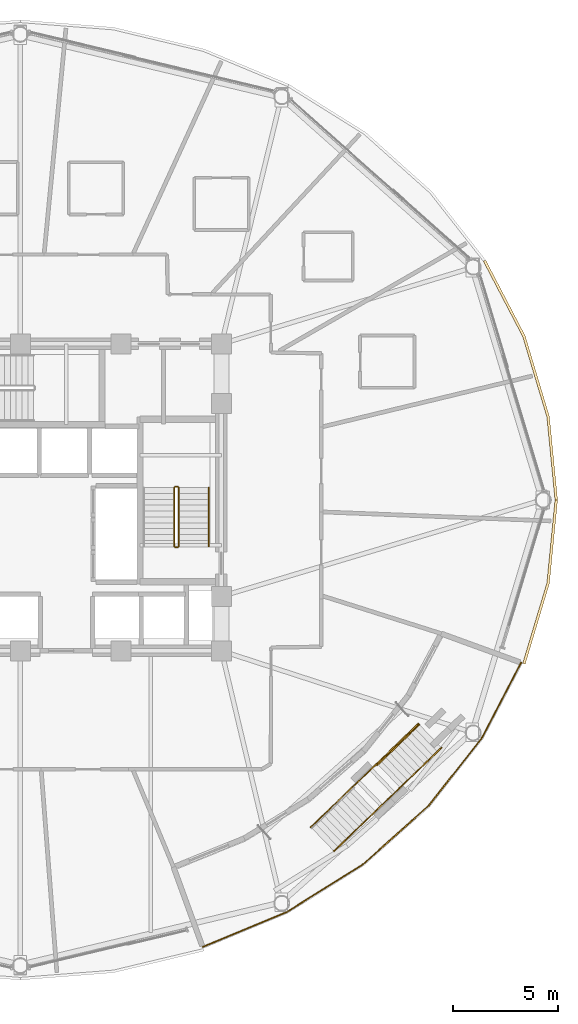
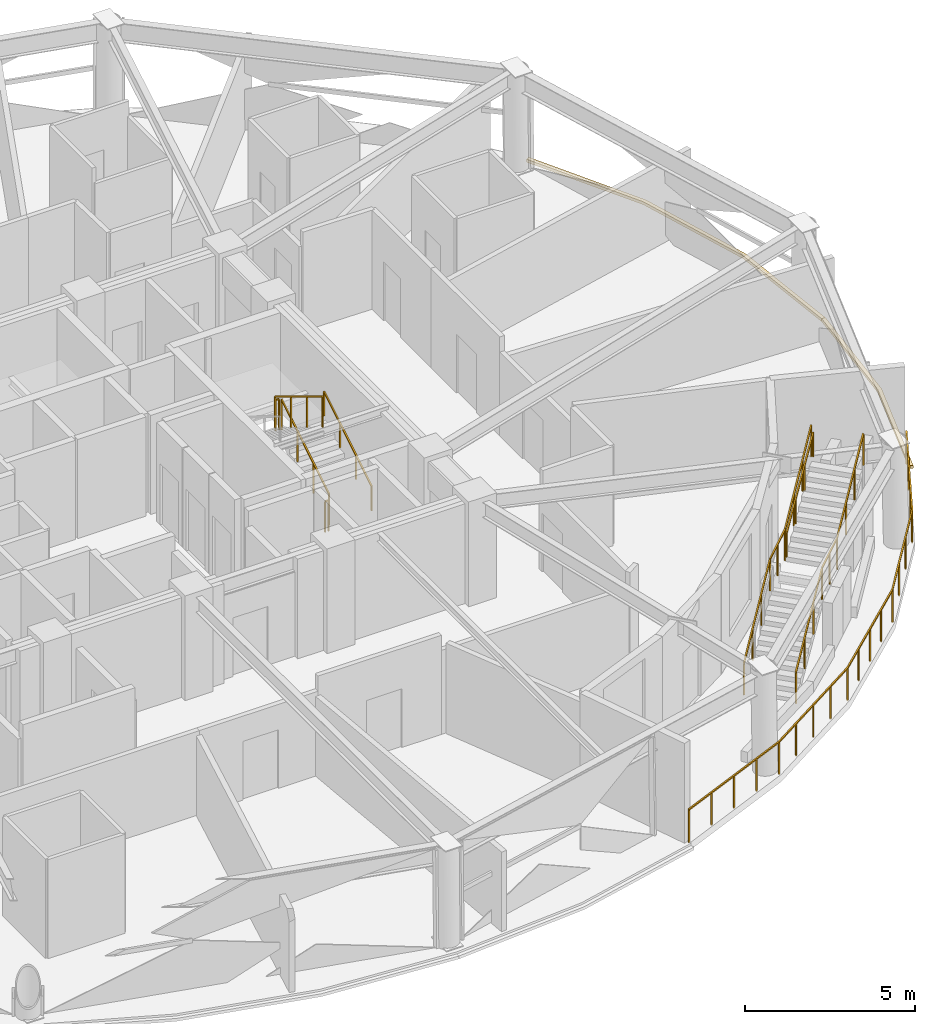
# One storey, part 17 of 18: 9 railings, 2 coverings.
"""IFC4 building model written with IfcOpenShell, lengths in metres."""

import ifcopenshell
import ifcopenshell.guid

model = None  # the IFC model being written
_history = None  # IfcOwnerHistory: only IFC2X3 demands one
_inside = {}  # id of a spatial element -> (the spatial element, [elements in it])
_under = {}  # id of a project, library or spatial element -> (it, [spatial elements below it])
_declared = {}  # id of a project -> (the project, [libraries it declares])
_typed = {}  # id of a type object -> (the type object, [elements of that type])
_made_of = {}  # id of a material, layer set ... -> (it, [elements and type objects made of it])


def new_model(schema):
    """Start an empty IFC model of exactly this schema.

    Asked for "IFC4X3", IfcOpenShell would pick the latest addendum, in which some entities
    have other attributes; the version numbers below select the first issue.
    IFC2X3 requires an IfcOwnerHistory on every rooted entity: one is made here for all.
    """
    global model, _history
    if schema == "IFC4X3":
        model = ifcopenshell.file(schema_version=(4, 3, 0, 0))
    else:
        model = ifcopenshell.file(schema=schema)
    _inside.clear()
    _under.clear()
    _declared.clear()
    _typed.clear()
    _made_of.clear()
    _history = None
    if model.schema == "IFC2X3":
        org = make("IfcOrganization", Name="unknown")
        user = make(
            "IfcPersonAndOrganization",
            ThePerson=make("IfcPerson", FamilyName="unknown"),
            TheOrganization=org,
        )
        app = make(
            "IfcApplication",
            ApplicationDeveloper=org,
            Version="unknown",
            ApplicationFullName="unknown",
            ApplicationIdentifier="unknown",
        )
        _history = make(
            "IfcOwnerHistory",
            OwningUser=user,
            OwningApplication=app,
            ChangeAction="ADDED",
            CreationDate=0,
        )
    return model


def make(cls, **values):
    """One entity of the class cls with the attributes given. An attribute that is None is left unset."""
    return model.create_entity(
        cls, **{name: value for name, value in values.items() if value is not None}
    )


def rooted(cls, **values):
    """An entity with a GlobalId (a new one), such as an element, a storey or a relation."""
    return make(cls, GlobalId=ifcopenshell.guid.new(), OwnerHistory=_history, **values)


def si_unit(unit_type, name, prefix=None):
    """IfcSIUnit, for example si_unit("LENGTHUNIT", "METRE", prefix="MILLI")."""
    return make("IfcSIUnit", UnitType=unit_type, Prefix=prefix, Name=name)


def assignment(units):
    """IfcUnitAssignment: the units of a project."""
    return None if units is None else make("IfcUnitAssignment", Units=units)


def point(xyz):
    """IfcCartesianPoint."""
    return None if xyz is None else make("IfcCartesianPoint", Coordinates=xyz)


def direction(xyz):
    """IfcDirection."""
    return None if xyz is None else make("IfcDirection", DirectionRatios=xyz)


def frame(location, z_axis=None, x_axis=None):
    """IfcAxis2Placement3D, a coordinate frame: its origin and axes. An axis left out is left unset."""
    return make(
        "IfcAxis2Placement3D",
        Location=point(location),
        Axis=direction(z_axis),
        RefDirection=direction(x_axis),
    )


def frame_2d(location, x_axis=None):
    """IfcAxis2Placement2D, a coordinate frame in the plane: its origin and x axis."""
    return make(
        "IfcAxis2Placement2D", Location=point(location), RefDirection=direction(x_axis)
    )


def origin():
    """The frame at (0, 0, 0) with its axes left unset."""
    return frame((0.0, 0.0, 0.0))


def origin_2d():
    """The frame at (0, 0) in the plane with its x axis left unset."""
    return frame_2d((0.0, 0.0))


def place(relative_to, where):
    """IfcLocalPlacement: puts the frame where relative to a parent placement (None: the world)."""
    return make(
        "IfcLocalPlacement", PlacementRelTo=relative_to, RelativePlacement=where
    )


def context(
    kind, dimensions, precision=None, world=None, true_north=None, identifier=None
):
    """IfcGeometricRepresentationContext, for example the 3D "Model" context."""
    return make(
        "IfcGeometricRepresentationContext",
        ContextIdentifier=identifier,
        ContextType=kind,
        CoordinateSpaceDimension=dimensions,
        Precision=precision,
        WorldCoordinateSystem=world,
        TrueNorth=true_north,
    )


def subcontext(parent, identifier, kind, view, scale=None):
    """IfcGeometricRepresentationSubContext, for example "Body" below "Model"."""
    return make(
        "IfcGeometricRepresentationSubContext",
        ContextIdentifier=identifier,
        ContextType=kind,
        ParentContext=parent,
        TargetScale=scale,
        TargetView=view,
    )


def project(units=None, contexts=None):
    """IfcProject with its units and contexts."""
    return rooted(
        "IfcProject",
        Name="project",
        RepresentationContexts=contexts,
        UnitsInContext=assignment(units),
    )


def spatial(cls, under=None, at=None, **own):
    """A site, building, storey or space (cls), placed at a placement, below another one or the project."""
    s = rooted(cls, ObjectPlacement=at, **own)
    if under is not None:
        _under.setdefault(under.id(), (under, []))[1].append(s)
    return s


def polyline(points):
    """IfcPolyline through the points."""
    return make("IfcPolyline", Points=[point(p) for p in points])


def profile(cls, at=None, kind="AREA", **sizes):
    """A parametric profile (cls). Its sizes go by their IFC names, for example OverallWidth=200.0."""
    return make(cls, ProfileType=kind, Position=at, **sizes)


def rectangle(**sizes):
    """IfcRectangleProfileDef."""
    return profile("IfcRectangleProfileDef", **sizes)


def outline(outer, holes=None, kind="AREA"):
    """IfcArbitraryClosedProfileDef: a profile drawn as a closed curve; with holes, ...WithVoids."""
    if holes is None:
        return make("IfcArbitraryClosedProfileDef", ProfileType=kind, OuterCurve=outer)
    return make(
        "IfcArbitraryProfileDefWithVoids",
        ProfileType=kind,
        OuterCurve=outer,
        InnerCurves=holes,
    )


def extrude(swept, where, along, depth):
    """IfcExtrudedAreaSolid: the profile swept, set in the frame where, extruded along a direction by depth."""
    return make(
        "IfcExtrudedAreaSolid",
        SweptArea=swept,
        Position=where,
        ExtrudedDirection=direction(along),
        Depth=depth,
    )


def shape(context_of_items, identifier, shape_type, items):
    """IfcShapeRepresentation: the items that make up one representation, for example the "Body"."""
    return make(
        "IfcShapeRepresentation",
        ContextOfItems=context_of_items,
        RepresentationIdentifier=identifier,
        RepresentationType=shape_type,
        Items=items,
    )


def material(Name=None, Category=None):
    """IfcMaterial."""
    return make("IfcMaterial", Name=Name, Category=Category)


def layer(
    of_material, thickness, ventilated=None, Name=None, Category=None, Priority=None
):
    """IfcMaterialLayer: one layer of a wall or slab, of a material (None: an air gap)."""
    return make(
        "IfcMaterialLayer",
        Material=of_material,
        LayerThickness=thickness,
        IsVentilated=ventilated,
        Name=Name,
        Category=Category,
        Priority=Priority,
    )


def layer_set(layers, Name=None):
    """IfcMaterialLayerSet."""
    return make("IfcMaterialLayerSet", MaterialLayers=layers, LayerSetName=Name)


def made_of(thing, what):
    """Note that an element or type object is made of a material, layer set ...; save() writes the relation."""
    if what is not None:
        _made_of.setdefault(what.id(), (what, []))[1].append(thing)
    return thing


def type_object(cls, material=None, **own):
    """A type object (cls), such as IfcWallType, which elements share."""
    return made_of(rooted(cls, **own), material)


def element(
    cls,
    number,
    at=None,
    inside=None,
    cuts=None,
    type_object=None,
    material=None,
    context=None,
    identifier="Body",
    shape_type=None,
    held_by="IfcProductDefinitionShape",
    body=None,
    shapes=None,
    **own,
):
    """One element of the class cls, such as IfcWall. Its Tag is "e" and its number.

    at: its placement. inside: the storey or other place that contains it. cuts: it is an
    opening in that element (IfcRelVoidsElement). A single representation is given by context,
    identifier, shape_type and body (its items); several are given by shapes. held_by: the class
    of the entity that holds the representations. save() writes the other relations.
    """
    e = rooted(cls, Tag="e%d" % number, ObjectPlacement=at, **own)
    if body is not None:
        shapes = [shape(context, identifier, shape_type, body)]
    if shapes is not None:
        e.Representation = make(held_by, Representations=shapes)
    if inside is not None:
        _inside.setdefault(inside.id(), (inside, []))[1].append(e)
    if cuts is not None:
        rooted(
            "IfcRelVoidsElement", RelatingBuildingElement=cuts, RelatedOpeningElement=e
        )
    if type_object is not None:
        _typed.setdefault(type_object.id(), (type_object, []))[1].append(e)
    return made_of(e, material)


def aggregate(whole, parts):
    """IfcRelAggregates: a whole, such as a stair, and the parts it consists of."""
    return rooted("IfcRelAggregates", RelatingObject=whole, RelatedObjects=parts)


def save(model, path):
    """Write the relations noted so far, then the file.

    IfcRelAggregates (storeys below a building ...), IfcRelContainedInSpatialStructure (elements
    in a storey), IfcRelDefinesByType, IfcRelAssociatesMaterial and IfcRelDeclares: one each for
    every whole, place, type object, material and project.
    """
    for whole, parts in _under.values():
        aggregate(whole, parts)
    for where, things in _inside.values():
        rooted(
            "IfcRelContainedInSpatialStructure",
            RelatedElements=things,
            RelatingStructure=where,
        )
    for kind, things in _typed.values():
        rooted("IfcRelDefinesByType", RelatedObjects=things, RelatingType=kind)
    for what, things in _made_of.values():
        rooted("IfcRelAssociatesMaterial", RelatedObjects=things, RelatingMaterial=what)
    for by, libraries in _declared.values():
        rooted("IfcRelDeclares", RelatingContext=by, RelatedDefinitions=libraries)
    model.write(path)


model = new_model("IFC4")

# Units and contexts
model_context = context("Model", 3, precision=1e-05, world=origin(), true_north=direction((0.0, 1.0)))
body_context = subcontext(model_context, "Body", "Model", "MODEL_VIEW")
ifc_project = project(units=[si_unit("LENGTHUNIT", "METRE"), si_unit("AREAUNIT", "SQUARE_METRE"), si_unit("VOLUMEUNIT", "CUBIC_METRE"), si_unit("PLANEANGLEUNIT", "RADIAN"), si_unit("MASSUNIT", "GRAM", prefix="KILO")], contexts=[model_context])

# Site, building, storey
site_placement = place(None, origin())
site = spatial("IfcSite", under=ifc_project, at=site_placement, CompositionType="ELEMENT")
building_placement = place(site_placement, origin())
building = spatial("IfcBuilding", under=site, at=building_placement, Name="Vantalir Tower", CompositionType="ELEMENT")
storey_placement = place(building_placement, frame((0.0, 0.0, 138.449951171875)))
storey = spatial("IfcBuildingStorey", under=building, at=storey_placement, Name="L34", CompositionType="ELEMENT", Elevation=138.449951171875)

# Coverings
ifc_material_1 = material(Name="Anodised champagne aluminium sill fascia", Category="aluminium")
ifc_layer = layer(ifc_material_1, 0.125)
ifc_layer_set = layer_set([ifc_layer], Name="Anodised champagne aluminium sill fascia")
covering_type = type_object("IfcCoveringType", Name="COV-SLAB-FASCIA-125", PredefinedType="CLADDING", material=ifc_layer_set)
covering_1_placement = place(storey_placement, frame((0.0, 0.0, -0.179931640625)))
element("IfcCovering", 1, at=covering_1_placement, inside=storey, type_object=covering_type, Name="L34 Perimeter Slab-Edge Sill Fascia 01", PredefinedType="CLADDING", context=body_context, shape_type="SweptSolid", body=[
    extrude(outline(polyline([(57.14404296875, 25.0), (56.75390625, 28.97802734375), (55.596923828125, 32.8359375), (53.7080078125, 36.455078125), (53.60009765625, 36.39208984375), (55.47998046875, 32.79296875), (56.631103515625, 28.95703125), (57.01904296875, 25.0), (57.14404296875, 25.0)])), origin(), (0.0, 0.0, 1.0), 0.10498046875),
])
covering_2_placement = place(storey_placement, frame((0.0, 0.0, -0.179931640625)))
element("IfcCovering", 2, at=covering_2_placement, inside=storey, type_object=covering_type, Name="L34 Perimeter Slab-Edge Sill Fascia 12", PredefinedType="CLADDING", context=body_context, shape_type="SweptSolid", body=[
    extrude(outline(polyline([(55.596923828125, 17.1640625), (56.75390625, 21.02197265625), (57.14404296875, 25.0), (57.01904296875, 25.0), (56.631103515625, 21.04296875), (55.47998046875, 17.20703125), (55.596923828125, 17.1640625)])), origin(), (0.0, 0.0, 1.0), 0.10498046875),
])

# Railings
ifc_material_2 = material(Name="Laminated safety glass and champagne-silver balustrade", Category="glass")
railing_type_1 = type_object("IfcRailingType", Name="RAL-BALUSTRADE-1200", PredefinedType="BALUSTRADE", material=ifc_material_2)
railing_1_placement = place(storey_placement, frame((40.200927734375, 3.6640625, 0.0)))
element("IfcRailing", 3, at=railing_1_placement, inside=storey, type_object=railing_type_1, Name="L34 SG2 Sky-Garden Perimeter Balustrade", PredefinedType="BALUSTRADE", context=body_context, shape_type="SweptSolid", body=[
    extrude(rectangle(XDim=0.048095703125, YDim=0.048095703125, at=origin_2d()), frame((0.0, 0.0, 1.17578125), z_axis=(0.923219553035, 0.384272893779, 0.0), x_axis=(-0.384272893779, 0.923219553035, 0.0)), (0.0, 0.0, 1.0), 4.353271484375),
    extrude(rectangle(XDim=0.048095703125, YDim=0.048095703125, at=origin_2d()), frame((4.01904296875, 1.6728515625, 1.17578125), z_axis=(0.848001506284, 0.529993816322, 0.0), x_axis=(-0.529993816322, 0.848001506284, 0.0)), (0.0, 0.0, 1.0), 4.283203125),
    extrude(rectangle(XDim=0.048095703125, YDim=0.048095703125, at=origin_2d()), frame((7.651123046875, 3.94287109375, 1.17578125), z_axis=(0.745942815144, 0.666009997323, 0.0), x_axis=(-0.666009997323, 0.745942815144, 0.0)), (0.0, 0.0, 1.0), 4.20263671875),
    extrude(rectangle(XDim=0.048095703125, YDim=0.048095703125, at=origin_2d()), frame((10.7861328125, 6.741943359375, 1.17578125), z_axis=(0.617442020659, 0.786616393882, 0.0), x_axis=(-0.786616393882, 0.617442020659, 0.0)), (0.0, 0.0, 1.0), 4.1201171875),
    extrude(rectangle(XDim=0.048095703125, YDim=0.048095703125, at=origin_2d()), frame((13.330078125, 9.98291015625, 1.17578125), z_axis=(0.463068984751, 0.886322241266, 0.0), x_axis=(-0.886322241266, 0.463068984751, 0.0)), (0.0, 0.0, 1.0), 4.046875),
    extrude(rectangle(XDim=0.0419921875, YDim=0.0419921875, at=origin_2d()), origin(), (0.0, 0.0, 1.0), 1.15185546875),
    extrude(rectangle(XDim=0.0419921875, YDim=0.0419921875, at=origin_2d()), frame((1.0048828125, 0.418212890625, 0.0)), (0.0, 0.0, 1.0), 1.15185546875),
    extrude(rectangle(XDim=0.0419921875, YDim=0.0419921875, at=origin_2d()), frame((2.009521484375, 0.83642578125, 0.0)), (0.0, 0.0, 1.0), 1.15185546875),
    extrude(rectangle(XDim=0.0419921875, YDim=0.0419921875, at=origin_2d()), frame((3.01416015625, 1.254638671875, 0.0)), (0.0, 0.0, 1.0), 1.15185546875),
    extrude(rectangle(XDim=0.0419921875, YDim=0.0419921875, at=origin_2d()), frame((4.01904296875, 1.6728515625, 0.0)), (0.0, 0.0, 1.0), 1.15185546875),
    extrude(rectangle(XDim=0.0419921875, YDim=0.0419921875, at=origin_2d()), frame((4.927001953125, 2.240234375, 0.0)), (0.0, 0.0, 1.0), 1.15185546875),
    extrude(rectangle(XDim=0.0419921875, YDim=0.0419921875, at=origin_2d()), frame((5.8349609375, 2.807861328125, 0.0)), (0.0, 0.0, 1.0), 1.15185546875),
    extrude(rectangle(XDim=0.0419921875, YDim=0.0419921875, at=origin_2d()), frame((6.7431640625, 3.37548828125, 0.0)), (0.0, 0.0, 1.0), 1.15185546875),
    extrude(rectangle(XDim=0.0419921875, YDim=0.0419921875, at=origin_2d()), frame((7.651123046875, 3.94287109375, 0.0)), (0.0, 0.0, 1.0), 1.15185546875),
    extrude(rectangle(XDim=0.0419921875, YDim=0.0419921875, at=origin_2d()), frame((8.434814453125, 4.642578125, 0.0)), (0.0, 0.0, 1.0), 1.15185546875),
    extrude(rectangle(XDim=0.0419921875, YDim=0.0419921875, at=origin_2d()), frame((9.21875, 5.34228515625, 0.0)), (0.0, 0.0, 1.0), 1.15185546875),
    extrude(rectangle(XDim=0.0419921875, YDim=0.0419921875, at=origin_2d()), frame((10.00244140625, 6.042236328125, 0.0)), (0.0, 0.0, 1.0), 1.15185546875),
    extrude(rectangle(XDim=0.0419921875, YDim=0.0419921875, at=origin_2d()), frame((10.7861328125, 6.741943359375, 0.0)), (0.0, 0.0, 1.0), 1.15185546875),
    extrude(rectangle(XDim=0.0419921875, YDim=0.0419921875, at=origin_2d()), frame((11.634033203125, 7.822265625, 0.0)), (0.0, 0.0, 1.0), 1.15185546875),
    extrude(rectangle(XDim=0.0419921875, YDim=0.0419921875, at=origin_2d()), frame((12.482177734375, 8.902587890625, 0.0)), (0.0, 0.0, 1.0), 1.15185546875),
    extrude(rectangle(XDim=0.0419921875, YDim=0.0419921875, at=origin_2d()), frame((13.330078125, 9.98291015625, 0.0)), (0.0, 0.0, 1.0), 1.15185546875),
    extrude(rectangle(XDim=0.0419921875, YDim=0.0419921875, at=origin_2d()), frame((13.954833984375, 11.178466796875, 0.0)), (0.0, 0.0, 1.0), 1.15185546875),
    extrude(rectangle(XDim=0.0419921875, YDim=0.0419921875, at=origin_2d()), frame((14.579345703125, 12.374267578125, 0.0)), (0.0, 0.0, 1.0), 1.15185546875),
    extrude(rectangle(XDim=0.0419921875, YDim=0.0419921875, at=origin_2d()), frame((15.2041015625, 13.56982421875, 0.0)), (0.0, 0.0, 1.0), 1.15185546875),
])
railing_2_placement = place(storey_placement, frame((46.470947265625, 8.240966796875, 0.0)))
element("IfcRailing", 4, at=railing_2_placement, inside=storey, type_object=railing_type_1, Name="Sky Garden Stair SG2 Balustrade OUT", PredefinedType="BALUSTRADE", context=body_context, shape_type="SweptSolid", body=[
    extrude(rectangle(XDim=0.048095703125, YDim=0.048095703125, at=origin_2d()), frame((0.0, 0.0, 1.1259765625), z_axis=(0.596240645051, 0.573491186014, 0.561787284258), x_axis=(-0.693223566885, 0.720722613989, 0.0)), (0.0, 0.0, 1.0), 3.337646484375),
    extrude(rectangle(XDim=0.048095703125, YDim=0.048095703125, at=origin_2d()), frame((1.989990234375, 1.9140625, 3.0009765625), z_axis=(0.720783209228, 0.693160562421, 0.0), x_axis=(-0.693160562421, 0.720783209228, 0.0)), (0.0, 0.0, 1.0), 1.599853515625),
    extrude(rectangle(XDim=0.048095703125, YDim=0.048095703125, at=origin_2d()), frame((3.14306640625, 3.02294921875, 3.0009765625), z_axis=(0.596152070782, 0.57339482345, 0.561979612569), x_axis=(-0.693216553586, 0.720729359631, 0.0)), (0.0, 0.0, 1.0), 3.33642578125),
    extrude(rectangle(XDim=0.0419921875, YDim=0.0419921875, at=origin_2d()), origin(), (0.0, 0.0, 1.0), 1.101806640625),
    extrude(rectangle(XDim=0.0419921875, YDim=0.0419921875, at=origin_2d()), frame((0.663330078125, 0.637939453125, 0.625)), (0.0, 0.0, 1.0), 1.101806640625),
    extrude(rectangle(XDim=0.0419921875, YDim=0.0419921875, at=origin_2d()), frame((1.32666015625, 1.276123046875, 1.25)), (0.0, 0.0, 1.0), 1.101806640625),
    extrude(rectangle(XDim=0.0419921875, YDim=0.0419921875, at=origin_2d()), frame((1.989990234375, 1.9140625, 1.875)), (0.0, 0.0, 1.0), 1.101806640625),
    extrude(rectangle(XDim=0.0419921875, YDim=0.0419921875, at=origin_2d()), frame((2.56640625, 2.468505859375, 1.875)), (0.0, 0.0, 1.0), 1.101806640625),
    extrude(rectangle(XDim=0.0419921875, YDim=0.0419921875, at=origin_2d()), frame((3.14306640625, 3.02294921875, 1.875)), (0.0, 0.0, 1.0), 1.101806640625),
    extrude(rectangle(XDim=0.0419921875, YDim=0.0419921875, at=origin_2d()), frame((3.80615234375, 3.66064453125, 2.5)), (0.0, 0.0, 1.0), 1.101806640625),
    extrude(rectangle(XDim=0.0419921875, YDim=0.0419921875, at=origin_2d()), frame((4.468994140625, 4.29833984375, 3.125)), (0.0, 0.0, 1.0), 1.101806640625),
    extrude(rectangle(XDim=0.0419921875, YDim=0.0419921875, at=origin_2d()), frame((5.132080078125, 4.93603515625, 3.75)), (0.0, 0.0, 1.0), 1.101806640625),
])
railing_3_placement = place(storey_placement, frame((45.368896484375, 9.386962890625, 0.0)))
element("IfcRailing", 5, at=railing_3_placement, inside=storey, type_object=railing_type_1, Name="Sky Garden Stair SG2 Balustrade IN", PredefinedType="BALUSTRADE", context=body_context, shape_type="SweptSolid", body=[
    extrude(rectangle(XDim=0.048095703125, YDim=0.048095703125, at=origin_2d()), frame((0.0, 0.0, 1.1259765625), z_axis=(0.596052017429, 0.573591238081, 0.561885294447), x_axis=(-0.693400300107, 0.720552582267, 0.0)), (0.0, 0.0, 1.0), 3.3369140625),
    extrude(rectangle(XDim=0.048095703125, YDim=0.048095703125, at=origin_2d()), frame((1.989013671875, 1.9140625, 3.0009765625), z_axis=(0.721076317313, 0.692855644857, 0.0), x_axis=(-0.692855644857, 0.721076317313, 0.0)), (0.0, 0.0, 1.0), 1.600341796875),
    extrude(rectangle(XDim=0.048095703125, YDim=0.048095703125, at=origin_2d()), frame((3.14306640625, 3.02294921875, 3.0009765625), z_axis=(0.596152070782, 0.57339482345, 0.561979612569), x_axis=(-0.693216553586, 0.720729359631, 0.0)), (0.0, 0.0, 1.0), 3.33642578125),
    extrude(rectangle(XDim=0.0419921875, YDim=0.0419921875, at=origin_2d()), origin(), (0.0, 0.0, 1.0), 1.101806640625),
    extrude(rectangle(XDim=0.0419921875, YDim=0.0419921875, at=origin_2d()), frame((0.6630859375, 0.637939453125, 0.625)), (0.0, 0.0, 1.0), 1.101806640625),
    extrude(rectangle(XDim=0.0419921875, YDim=0.0419921875, at=origin_2d()), frame((1.325927734375, 1.276123046875, 1.25)), (0.0, 0.0, 1.0), 1.101806640625),
    extrude(rectangle(XDim=0.0419921875, YDim=0.0419921875, at=origin_2d()), frame((1.989013671875, 1.9140625, 1.875)), (0.0, 0.0, 1.0), 1.101806640625),
    extrude(rectangle(XDim=0.0419921875, YDim=0.0419921875, at=origin_2d()), frame((2.56591796875, 2.468505859375, 1.875)), (0.0, 0.0, 1.0), 1.101806640625),
    extrude(rectangle(XDim=0.0419921875, YDim=0.0419921875, at=origin_2d()), frame((3.14306640625, 3.02294921875, 1.875)), (0.0, 0.0, 1.0), 1.101806640625),
    extrude(rectangle(XDim=0.0419921875, YDim=0.0419921875, at=origin_2d()), frame((3.80615234375, 3.66064453125, 2.5)), (0.0, 0.0, 1.0), 1.101806640625),
    extrude(rectangle(XDim=0.0419921875, YDim=0.0419921875, at=origin_2d()), frame((4.468994140625, 4.29833984375, 3.125)), (0.0, 0.0, 1.0), 1.101806640625),
    extrude(rectangle(XDim=0.0419921875, YDim=0.0419921875, at=origin_2d()), frame((5.132080078125, 4.93603515625, 3.75)), (0.0, 0.0, 1.0), 1.101806640625),
])
ifc_material_3 = material(Name="Anodised aluminium and stainless steel guard", Category="steel")
railing_type_2 = type_object("IfcRailingType", Name="RAL-GUARD-1120", PredefinedType="GUARDRAIL", material=ifc_material_3)
railing_4_placement = place(storey_placement, frame((39.06005859375, 22.7900390625, 0.17041015625)))
element("IfcRailing", 6, at=railing_4_placement, inside=storey, type_object=railing_type_2, Name="L34 ST2 stair guard 1", PredefinedType="GUARDRAIL", context=body_context, shape_type="SweptSolid", body=[
    extrude(rectangle(XDim=0.048095703125, YDim=0.048095703125, at=origin_2d()), frame((0.0, 0.0, 1.09619140625), z_axis=(0.0, 0.854169791009, 0.51999420009), x_axis=(-1.0, 0.0, 0.0)), (0.0, 0.0, 1.0), 3.278076171875),
    extrude(rectangle(XDim=0.0419921875, YDim=0.0419921875, at=origin_2d()), origin(), (0.0, 0.0, 1.0), 1.072021484375),
    extrude(rectangle(XDim=0.0419921875, YDim=0.0419921875, at=origin_2d()), frame((0.0, 0.933349609375, 0.568115234375)), (0.0, 0.0, 1.0), 1.072021484375),
    extrude(rectangle(XDim=0.0419921875, YDim=0.0419921875, at=origin_2d()), frame((0.0, 1.86669921875, 1.136474609375)), (0.0, 0.0, 1.0), 1.072021484375),
    extrude(rectangle(XDim=0.0419921875, YDim=0.0419921875, at=origin_2d()), frame((0.0, 2.800048828125, 1.70458984375)), (0.0, 0.0, 1.0), 1.072021484375),
])
railing_5_placement = place(storey_placement, frame((39.010009765625, 25.639892578125, 1.875)))
element("IfcRailing", 7, at=railing_5_placement, inside=storey, type_object=railing_type_2, Name="L34 ST2 stair guard 2", PredefinedType="GUARDRAIL", context=body_context, shape_type="SweptSolid", body=[
    extrude(rectangle(XDim=0.048095703125, YDim=0.048095703125, at=origin_2d()), frame((0.0, 0.0, 1.09619140625), z_axis=(-1.0, 0.0, 0.0), x_axis=(0.0, -1.0, 0.0)), (0.0, 0.0, 1.0), 0.1201171875),
    extrude(rectangle(XDim=0.0419921875, YDim=0.0419921875, at=origin_2d()), origin(), (0.0, 0.0, 1.0), 1.072021484375),
    extrude(rectangle(XDim=0.0419921875, YDim=0.0419921875, at=origin_2d()), frame((-0.1201171875, 0.0, 0.0)), (0.0, 0.0, 1.0), 1.072021484375),
])
railing_6_placement = place(storey_placement, frame((38.840087890625, 25.590087890625, 2.04541015625)))
element("IfcRailing", 8, at=railing_6_placement, inside=storey, type_object=railing_type_2, Name="L34 ST2 stair guard 3", PredefinedType="GUARDRAIL", context=body_context, shape_type="SweptSolid", body=[
    extrude(rectangle(XDim=0.048095703125, YDim=0.048095703125, at=origin_2d()), frame((0.0, 0.0, 1.09619140625), z_axis=(0.0, -0.854169791009, 0.51999420009), x_axis=(1.0, 0.0, 0.0)), (0.0, 0.0, 1.0), 3.278076171875),
    extrude(rectangle(XDim=0.0419921875, YDim=0.0419921875, at=origin_2d()), origin(), (0.0, 0.0, 1.0), 1.072021484375),
    extrude(rectangle(XDim=0.0419921875, YDim=0.0419921875, at=origin_2d()), frame((0.0, -0.933349609375, 0.568115234375)), (0.0, 0.0, 1.0), 1.072021484375),
    extrude(rectangle(XDim=0.0419921875, YDim=0.0419921875, at=origin_2d()), frame((0.0, -1.86669921875, 1.136474609375)), (0.0, 0.0, 1.0), 1.072021484375),
    extrude(rectangle(XDim=0.0419921875, YDim=0.0419921875, at=origin_2d()), frame((0.0, -2.800048828125, 1.70458984375)), (0.0, 0.0, 1.0), 1.072021484375),
])
railing_7_placement = place(storey_placement, frame((39.010009765625, 22.739990234375, 0.0)))
element("IfcRailing", 9, at=railing_7_placement, inside=storey, type_object=railing_type_2, Name="L34 ST2 stair guard 4", PredefinedType="GUARDRAIL", context=body_context, shape_type="SweptSolid", body=[
    extrude(rectangle(XDim=0.048095703125, YDim=0.048095703125, at=origin_2d()), frame((0.0, 0.0, 1.09619140625), z_axis=(-1.0, 0.0, 0.0), x_axis=(0.0, -1.0, 0.0)), (0.0, 0.0, 1.0), 0.1201171875),
    extrude(rectangle(XDim=0.0419921875, YDim=0.0419921875, at=origin_2d()), origin(), (0.0, 0.0, 1.0), 1.072021484375),
    extrude(rectangle(XDim=0.0419921875, YDim=0.0419921875, at=origin_2d()), frame((-0.1201171875, 0.0, 0.0)), (0.0, 0.0, 1.0), 1.072021484375),
])
ifc_material_4 = material(Name="Brushed stainless steel tubular handrail", Category="steel")
railing_type_3 = type_object("IfcRailingType", Name="RAL-HANDRAIL-900", PredefinedType="HANDRAIL", material=ifc_material_4)
railing_8_placement = place(storey_placement, frame((40.5, 22.7900390625, 0.17041015625)))
element("IfcRailing", 10, at=railing_8_placement, inside=storey, type_object=railing_type_3, Name="L34 ST2 stair handrail 1", PredefinedType="HANDRAIL", context=body_context, shape_type="SweptSolid", body=[
    extrude(rectangle(XDim=0.048095703125, YDim=0.048095703125, at=origin_2d()), frame((0.0, 0.0, 0.8759765625), z_axis=(0.0, 0.854169791009, 0.51999420009), x_axis=(-1.0, 0.0, 0.0)), (0.0, 0.0, 1.0), 3.278076171875),
    extrude(rectangle(XDim=0.0419921875, YDim=0.0419921875, at=origin_2d()), origin(), (0.0, 0.0, 1.0), 0.851806640625),
    extrude(rectangle(XDim=0.0419921875, YDim=0.0419921875, at=origin_2d()), frame((0.0, 0.933349609375, 0.568115234375)), (0.0, 0.0, 1.0), 0.851806640625),
    extrude(rectangle(XDim=0.0419921875, YDim=0.0419921875, at=origin_2d()), frame((0.0, 1.86669921875, 1.136474609375)), (0.0, 0.0, 1.0), 0.851806640625),
    extrude(rectangle(XDim=0.0419921875, YDim=0.0419921875, at=origin_2d()), frame((0.0, 2.800048828125, 1.70458984375)), (0.0, 0.0, 1.0), 0.851806640625),
])
railing_9_placement = place(storey_placement, frame((48.52392578125, 12.339111328125, 2.045166015625)))
element("IfcRailing", 11, at=railing_9_placement, inside=storey, type_object=railing_type_3, Name="Sky Garden Stair SG2 Handrail F2", PredefinedType="HANDRAIL", context=body_context, shape_type="SweptSolid", body=[
    extrude(rectangle(XDim=0.048095703125, YDim=0.048095703125, at=origin_2d()), frame((0.0, 0.0, 0.8759765625), z_axis=(0.61579786467, 0.591970135928, 0.519965718137), x_axis=(-0.693021605667, 0.720916814951, 0.0)), (0.0, 0.0, 1.0), 3.27880859375),
    extrude(rectangle(XDim=0.0419921875, YDim=0.0419921875, at=origin_2d()), origin(), (0.0, 0.0, 1.0), 0.851806640625),
    extrude(rectangle(XDim=0.0419921875, YDim=0.0419921875, at=origin_2d()), frame((0.673095703125, 0.64697265625, 0.568359375)), (0.0, 0.0, 1.0), 0.851806640625),
    extrude(rectangle(XDim=0.0419921875, YDim=0.0419921875, at=origin_2d()), frame((1.345947265625, 1.2939453125, 1.136474609375)), (0.0, 0.0, 1.0), 0.851806640625),
    extrude(rectangle(XDim=0.0419921875, YDim=0.0419921875, at=origin_2d()), frame((2.01904296875, 1.94091796875, 1.704833984375)), (0.0, 0.0, 1.0), 0.851806640625),
])

save(model, "model.ifc")
